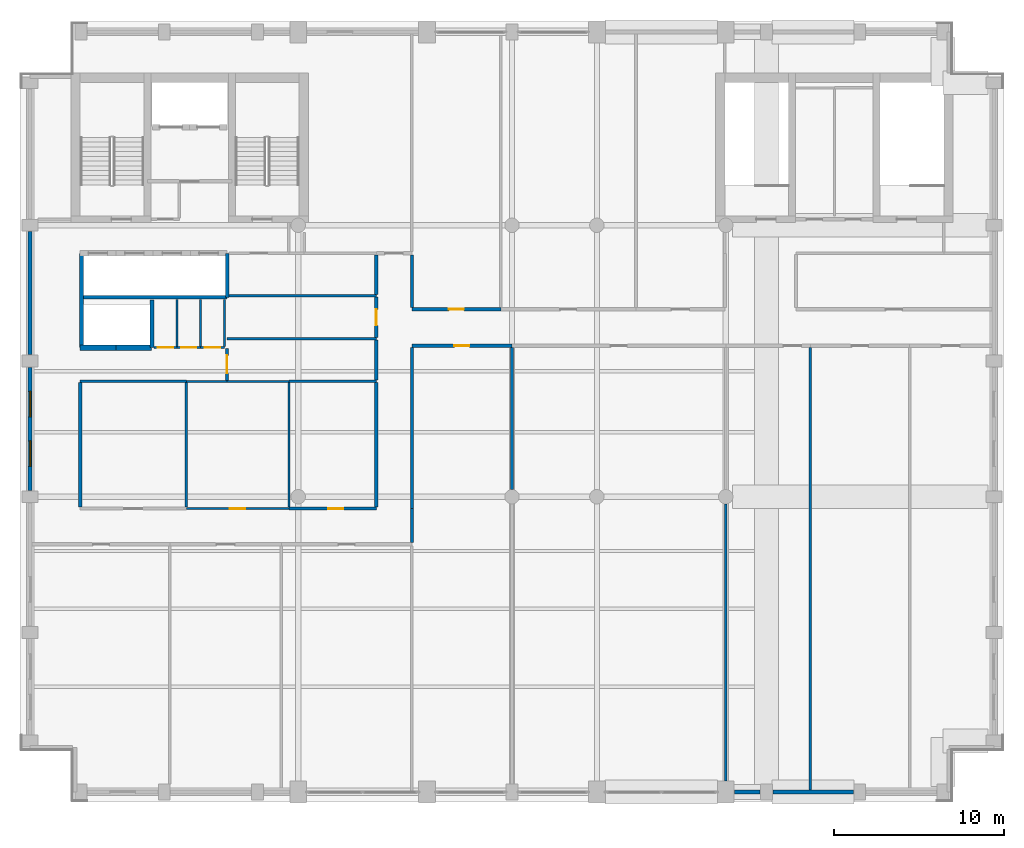
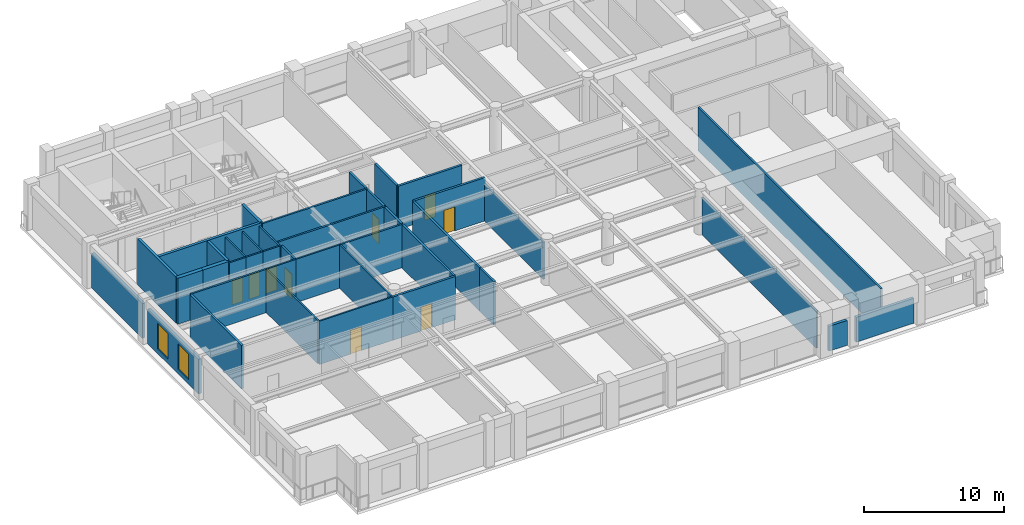
# One storey, part 8 of 14: 40 walls, 9 doors, 2 windows, 11 openings.
"""IFC4 building model written with IfcOpenShell, lengths in metres."""

from ifc_helpers import new_model, si_unit, direction, frame, frame_2d, origin, place, context, subcontext, project, spatial, rectangle, extrude, material, layer, layer_set, type_object, element, fill, save


model = new_model("IFC4")

# Units and contexts
model_context = context("Model", 3, precision=1e-05, world=origin(), true_north=direction((0.0, 1.0)))
body_context = subcontext(model_context, "Body", "Model", "MODEL_VIEW")
ifc_project = project(units=[si_unit("LENGTHUNIT", "METRE"), si_unit("AREAUNIT", "SQUARE_METRE"), si_unit("VOLUMEUNIT", "CUBIC_METRE"), si_unit("PLANEANGLEUNIT", "RADIAN"), si_unit("MASSUNIT", "GRAM", prefix="KILO")], contexts=[model_context])

# Site, building, storey
site_placement = place(None, origin())
site = spatial("IfcSite", under=ifc_project, at=site_placement, CompositionType="ELEMENT")
building_placement = place(site_placement, origin())
building = spatial("IfcBuilding", under=site, at=building_placement, Name="Sulina Concourse Tower", CompositionType="ELEMENT")
storey_placement = place(building_placement, frame((0.0, 0.0, 285.0)))
storey = spatial("IfcBuildingStorey", under=building, at=storey_placement, Name="L69", CompositionType="ELEMENT", Elevation=285.0)

# Walls
ifc_material_1 = material(Name="Concrete C50/60", Category="concrete")
ifc_layer_1 = layer(ifc_material_1, 0.219970703125)
ifc_layer_set_1 = layer_set([ifc_layer_1], Name="Concrete C50/60")
wall_type_1 = type_object("IfcWallType", Name="Core Lift Hoistway Divider Wall 220mm", PredefinedType="SOLIDWALL", material=ifc_layer_set_1)
wall_1_placement = place(storey_placement, frame((3.550048828125, 29.75, 0.0), z_axis=(0.0, 0.0, 1.0), x_axis=(1.0, 0.0, 0.0)))
element("IfcWall", 1, at=wall_1_placement, inside=storey, type_object=wall_type_1, Name="L69 shaft divider wall HW-LP3-S", PredefinedType="SOLIDWALL", context=body_context, shape_type="SweptSolid", body=[
    extrude(rectangle(XDim=8.64990234375, YDim=0.219970703125, at=frame_2d((4.324951171875, 0.0))), origin(), (0.0, 0.0, 1.0), 4.0),
])
wall_2_placement = place(storey_placement, frame((3.6298828125, 26.800048828125, 0.0), z_axis=(0.0, 0.0, 1.0), x_axis=(0.0, 1.0, 0.0)))
element("IfcWall", 2, at=wall_2_placement, inside=storey, type_object=wall_type_1, Name="L69 shaft divider wall HW-LP3-W", PredefinedType="SOLIDWALL", context=body_context, shape_type="SweptSolid", body=[
    extrude(rectangle(XDim=5.550048828125, YDim=0.219970703125, at=frame_2d((2.77490234375, 0.0))), origin(), (0.0, 0.0, 1.0), 4.0),
])
wall_3_placement = place(storey_placement, frame((7.780029296875, 26.800048828125, 0.0), z_axis=(0.0, 0.0, 1.0), x_axis=(0.0, 1.0, 0.0)))
element("IfcWall", 3, at=wall_3_placement, inside=storey, type_object=wall_type_1, Name="L69 shaft divider wall HW-EXP-E", PredefinedType="SOLIDWALL", context=body_context, shape_type="SweptSolid", body=[
    extrude(rectangle(XDim=2.800048828125, YDim=0.219970703125, at=frame_2d((1.39990234375, 0.0))), origin(), (0.0, 0.0, 1.0), 4.0),
])
wall_4_placement = place(storey_placement, frame((12.219970703125, 29.75, 0.0), z_axis=(0.0, 0.0, 1.0), x_axis=(0.0, 1.0, 0.0)))
element("IfcWall", 4, at=wall_4_placement, inside=storey, type_object=wall_type_1, Name="L69 shaft divider wall HW-LP3-E", PredefinedType="SOLIDWALL", context=body_context, shape_type="SweptSolid", body=[
    extrude(rectangle(XDim=2.60009765625, YDim=0.219970703125, at=frame_2d((1.300048828125, 0.0))), origin(), (0.0, 0.0, 1.0), 4.0),
])
ifc_material_2 = material(Name="Concrete C50/60", Category="concrete")
ifc_layer_2 = layer(ifc_material_2, 0.300048828125)
ifc_layer_set_2 = layer_set([ifc_layer_2], Name="Concrete C50/60")
wall_type_2 = type_object("IfcWallType", Name="Core Lift Hoistway Wall 300mm", PredefinedType="SOLIDWALL", material=ifc_layer_set_2)
wall_5_placement = place(storey_placement, frame((5.64990234375, 26.780029296875, 0.0), z_axis=(0.0, 0.0, 1.0), x_axis=(-1.0, 0.0, 0.0)))
element("IfcWall", 5, at=wall_5_placement, inside=storey, type_object=wall_type_2, Name="L69 hoistway enclosure wall EXP-1", PredefinedType="SOLIDWALL", context=body_context, shape_type="SweptSolid", body=[
    extrude(rectangle(XDim=2.099853515625, YDim=0.300048828125, at=frame_2d((1.0498046875, 0.0))), origin(), (0.0, 0.0, 1.0), 4.0),
])
wall_6_placement = place(storey_placement, frame((7.75, 26.780029296875, 0.0), z_axis=(0.0, 0.0, 1.0), x_axis=(-1.0, 0.0, 0.0)))
element("IfcWall", 6, at=wall_6_placement, inside=storey, type_object=wall_type_2, Name="L69 hoistway enclosure wall EXP-2", PredefinedType="SOLIDWALL", context=body_context, shape_type="SweptSolid", body=[
    extrude(rectangle(XDim=2.10009765625, YDim=0.300048828125, at=frame_2d((1.050048828125, 0.0))), origin(), (0.0, 0.0, 1.0), 4.0),
])
ifc_material_3 = material(Name="Precast concrete C50/60", Category="concrete")
ifc_layer_3 = layer(ifc_material_3, 0.239990234375)
ifc_layer_set_3 = layer_set([ifc_layer_3], Name="Precast concrete C50/60")
wall_type_3 = type_object("IfcWallType", Name="Crown Precast Masonry-Frame Facade Wall 240mm", PredefinedType="SOLIDWALL", material=ifc_layer_set_3)
wall_7_placement = place(storey_placement, frame((43.6298828125, 0.60009765625, 0.0), z_axis=(0.0, 0.0, 1.0), x_axis=(-1.0, 0.0, 0.0)))
element("IfcWall", 7, at=wall_7_placement, inside=storey, type_object=wall_type_3, Name="L69 exterior precast wall S8", PredefinedType="SOLIDWALL", context=body_context, shape_type="SweptSolid", body=[
    extrude(rectangle(XDim=1.509765625, YDim=0.239990234375, at=frame_2d((0.7548828125, 0.0))), origin(), (0.0, 0.0, 1.0), 2.1650390625),
])
wall_8_placement = place(storey_placement, frame((49.1298828125, 0.60009765625, 0.0), z_axis=(0.0, 0.0, 1.0), x_axis=(-1.0, 0.0, 0.0)))
element("IfcWall", 8, at=wall_8_placement, inside=storey, type_object=wall_type_3, Name="L69 exterior precast wall S9", PredefinedType="SOLIDWALL", context=body_context, shape_type="SweptSolid", body=[
    extrude(rectangle(XDim=4.759765625, YDim=0.239990234375, at=frame_2d((2.3798828125, 0.0))), origin(), (0.0, 0.0, 1.0), 2.1650390625),
])

# Wall, openings, windows
wall_9_placement = place(storey_placement, frame((0.60009765625, 18.3701171875, 0.0), z_axis=(0.0, 0.0, 1.0), x_axis=(0.0, 1.0, 0.0)))
wall_9 = element("IfcWall", 9, at=wall_9_placement, inside=storey, type_object=wall_type_3, Name="L69 exterior precast wall W3", PredefinedType="SOLIDWALL", context=body_context, shape_type="SweptSolid", body=[
    extrude(rectangle(XDim=7.259765625, YDim=0.239990234375, at=frame_2d((3.6298828125, 0.0))), origin(), (0.0, 0.0, 1.0), 3.02490234375),
])
opening_1_placement = place(wall_9_placement, frame((1.419921875, 0.0, 0.419921875)))
opening_1 = element("IfcOpeningElement", 10, at=opening_1_placement, cuts=wall_9, Name="Opening WN-71", PredefinedType="OPENING", context=body_context, shape_type="SweptSolid", body=[
    extrude(rectangle(XDim=1.5, YDim=2.199951171875, at=frame_2d((0.75, 1.10009765625))), frame((0.0, 0.1298828125, 0.0), z_axis=(0.0, -1.0, 0.0), x_axis=(1.0, 0.0, 0.0)), (0.0, 0.0, 1.0), 0.260009765625),
])
opening_2_placement = place(wall_9_placement, frame((4.340087890625, 0.0, 0.419921875)))
opening_2 = element("IfcOpeningElement", 11, at=opening_2_placement, cuts=wall_9, Name="Opening WN-71", PredefinedType="OPENING", context=body_context, shape_type="SweptSolid", body=[
    extrude(rectangle(XDim=1.5, YDim=2.199951171875, at=frame_2d((0.75, 1.10009765625))), frame((0.0, 0.1298828125, 0.0), z_axis=(0.0, -1.0, 0.0), x_axis=(1.0, 0.0, 0.0)), (0.0, 0.0, 1.0), 0.260009765625),
])
ifc_material_4 = material(Name="Low-E solar double glazing in bronze aluminium", Category="aluminium")
window_type = type_object("IfcWindowType", Name="Punched Masonry-Frame Window 1500x2200", PartitioningType="SINGLE_PANEL", PredefinedType="WINDOW", material=ifc_material_4)
window_1_placement = place(opening_1_placement, origin())
window_1 = element("IfcWindow", 12, at=window_1_placement, inside=storey, type_object=window_type, Name="L69 punched window W3-1", OverallHeight=2.199951171875, OverallWidth=1.5, PartitioningType="SINGLE_PANEL", PredefinedType="WINDOW", context=body_context, shape_type="SweptSolid", body=[
    extrude(rectangle(XDim=1.5, YDim=2.199951171875, at=frame_2d((0.75, 1.10009765625))), frame((0.0, 0.030029296875, 0.0), z_axis=(0.0, -1.0, 0.0), x_axis=(1.0, 0.0, 0.0)), (0.0, 0.0, 1.0), 0.06005859375),
])
fill(opening_1, window_1)
window_2_placement = place(opening_2_placement, origin())
window_2 = element("IfcWindow", 13, at=window_2_placement, inside=storey, type_object=window_type, Name="L69 punched window W3-2", OverallHeight=2.199951171875, OverallWidth=1.5, PartitioningType="SINGLE_PANEL", PredefinedType="WINDOW", context=body_context, shape_type="SweptSolid", body=[
    extrude(rectangle(XDim=1.5, YDim=2.199951171875, at=frame_2d((0.75, 1.10009765625))), frame((0.0, 0.030029296875, 0.0), z_axis=(0.0, -1.0, 0.0), x_axis=(1.0, 0.0, 0.0)), (0.0, 0.0, 1.0), 0.06005859375),
])
fill(opening_2, window_2)

# Walls
wall_10_placement = place(storey_placement, frame((0.60009765625, 26.3701171875, 0.0), z_axis=(0.0, 0.0, 1.0), x_axis=(0.0, 1.0, 0.0)))
element("IfcWall", 14, at=wall_10_placement, inside=storey, type_object=wall_type_3, Name="L69 exterior precast wall W4", PredefinedType="SOLIDWALL", context=body_context, shape_type="SweptSolid", body=[
    extrude(rectangle(XDim=7.259765625, YDim=0.239990234375, at=frame_2d((3.6298828125, 0.0))), origin(), (0.0, 0.0, 1.0), 3.02490234375),
])
ifc_material_5 = material(Name="Gypsum board on steel stud", Category="steel")
ifc_layer_4 = layer(ifc_material_5, 0.14990234375)
ifc_layer_set_4 = layer_set([ifc_layer_4], Name="Gypsum board on steel stud")
wall_type_4 = type_object("IfcWallType", Name="Inter-Tenancy Acoustic Partition 150mm", PredefinedType="PARTITIONING", material=ifc_layer_set_4)
wall_11_placement = place(storey_placement, frame((3.550048828125, 24.800048828125, 0.0), z_axis=(0.0, 0.0, 1.0), x_axis=(1.0, 0.0, 0.0)))
element("IfcWall", 15, at=wall_11_placement, inside=storey, type_object=wall_type_4, Name="L69 interior partition 007", PredefinedType="PARTITIONING", context=body_context, shape_type="SweptSolid", body=[
    extrude(rectangle(XDim=6.25, YDim=0.14990234375, at=frame_2d((3.125, 0.0))), origin(), (0.0, 0.0, 1.0), 3.77490234375),
])
wall_12_placement = place(storey_placement, frame((15.85009765625, 24.800048828125, 0.0), z_axis=(0.0, 0.0, 1.0), x_axis=(1.0, 0.0, 0.0)))
element("IfcWall", 16, at=wall_12_placement, inside=storey, type_object=wall_type_4, Name="L69 interior partition 010", PredefinedType="PARTITIONING", context=body_context, shape_type="SweptSolid", body=[
    extrude(rectangle(XDim=5.14990234375, YDim=0.14990234375, at=frame_2d((2.574951171875, 0.0))), origin(), (0.0, 0.0, 1.0), 3.77490234375),
])
wall_13_placement = place(storey_placement, frame((12.199951171875, 27.300048828125, 0.0), z_axis=(0.0, 0.0, 1.0), x_axis=(1.0, 0.0, 0.0)))
element("IfcWall", 17, at=wall_13_placement, inside=storey, type_object=wall_type_4, Name="L69 interior partition 019", PredefinedType="PARTITIONING", context=body_context, shape_type="SweptSolid", body=[
    extrude(rectangle(XDim=8.800048828125, YDim=0.14990234375, at=frame_2d((4.39990234375, 0.0))), origin(), (0.0, 0.0, 1.0), 3.77490234375),
])
wall_14_placement = place(storey_placement, frame((12.330078125, 29.85009765625, 0.0), z_axis=(0.0, 0.0, 1.0), x_axis=(1.0, 0.0, 0.0)))
element("IfcWall", 18, at=wall_14_placement, inside=storey, type_object=wall_type_4, Name="L69 interior partition 024", PredefinedType="PARTITIONING", context=body_context, shape_type="SweptSolid", body=[
    extrude(rectangle(XDim=8.669921875, YDim=0.14990234375, at=frame_2d((4.3349609375, 0.0))), origin(), (0.0, 0.0, 1.0), 3.77490234375),
])

# Wall, opening, door
wall_15_placement = place(storey_placement, frame((12.199951171875, 24.862548828125, 0.0), z_axis=(0.0, 0.0, 1.0), x_axis=(0.0, 1.0, 0.0)))
wall_15 = element("IfcWall", 19, at=wall_15_placement, inside=storey, type_object=wall_type_4, Name="L69 interior partition 042", PredefinedType="PARTITIONING", context=body_context, shape_type="SweptSolid", body=[
    extrude(rectangle(XDim=1.875, YDim=0.14990234375, at=frame_2d((0.9375, 0.0))), origin(), (0.0, 0.0, 1.0), 3.77490234375),
])
opening_3_placement = place(wall_15_placement, frame((0.41259765625, 0.0, 0.0)))
opening_3 = element("IfcOpeningElement", 20, at=opening_3_placement, cuts=wall_15, Name="Opening DR-37", PredefinedType="OPENING", context=body_context, shape_type="SweptSolid", body=[
    extrude(rectangle(XDim=1.050048828125, YDim=2.14990234375, at=frame_2d((0.52490234375, 1.074951171875))), frame((0.0, 0.0849609375, 0.0), z_axis=(0.0, -1.0, 0.0), x_axis=(1.0, 0.0, 0.0)), (0.0, 0.0, 1.0), 0.169921875),
])
ifc_material_6 = material(Name="Oak-veneered fire door leaf")
ifc_layer_5 = layer(ifc_material_6, 0.050048828125)
ifc_layer_set_5 = layer_set([ifc_layer_5], Name="Oak-veneered fire door leaf")
door_type_1 = type_object("IfcDoorType", Name="Tenant Suite Entrance Fire Door 1050x2150", OperationType="NOTDEFINED", PredefinedType="DOOR", material=ifc_layer_set_5)
door_1_placement = place(opening_3_placement, origin())
door_1 = element("IfcDoor", 21, at=door_1_placement, inside=storey, type_object=door_type_1, Name="L69 interior door L69-MR-MRG1", OperationType="SINGLE_SWING_RIGHT", OverallHeight=2.14990234375, OverallWidth=1.050048828125, PredefinedType="DOOR", context=body_context, shape_type="SweptSolid", body=[
    extrude(rectangle(XDim=1.050048828125, YDim=2.14990234375, at=frame_2d((0.52490234375, 1.074951171875))), frame((0.0, 0.02490234375, 0.0), z_axis=(0.0, -1.0, 0.0), x_axis=(1.0, 0.0, 0.0)), (0.0, 0.0, 1.0), 0.050048828125),
])
fill(opening_3, door_1)

# Walls
wall_16_placement = place(storey_placement, frame((29.0, 18.425048828125, 0.0), z_axis=(0.0, 0.0, 1.0), x_axis=(0.0, 1.0, 0.0)))
element("IfcWall", 22, at=wall_16_placement, inside=storey, type_object=wall_type_4, Name="L69 interior partition 058", PredefinedType="PARTITIONING", context=body_context, shape_type="SweptSolid", body=[
    extrude(rectangle(XDim=8.385009765625, YDim=0.14990234375, at=frame_2d((4.1923828125, 0.0))), origin(), (0.0, 0.0, 1.0), 3.219970703125),
])
wall_17_placement = place(storey_placement, frame((41.60009765625, 1.25, 0.0), z_axis=(0.0, 0.0, 1.0), x_axis=(0.0, 1.0, 0.0)))
element("IfcWall", 23, at=wall_17_placement, inside=storey, type_object=wall_type_4, Name="L69 interior partition 063", PredefinedType="PARTITIONING", context=body_context, shape_type="SweptSolid", body=[
    extrude(rectangle(XDim=16.324951171875, YDim=0.14990234375, at=frame_2d((8.16259765625, 0.0))), origin(), (0.0, 0.0, 1.0), 3.219970703125),
])
wall_18_placement = place(storey_placement, frame((46.590087890625, 0.719970703125, 0.0), z_axis=(0.0, 0.0, 1.0), x_axis=(0.0, 1.0, 0.0)))
element("IfcWall", 24, at=wall_18_placement, inside=storey, type_object=wall_type_4, Name="L69 interior partition 066", PredefinedType="PARTITIONING", context=body_context, shape_type="SweptSolid", body=[
    extrude(rectangle(XDim=26.090087890625, YDim=0.14990234375, at=frame_2d((13.044921875, 0.0))), origin(), (0.0, 0.0, 1.0), 3.77490234375),
])

# Wall, opening, door
ifc_material_7 = material(Name="Gypsum board on steel stud", Category="steel")
ifc_layer_6 = layer(ifc_material_7, 0.179931640625)
ifc_layer_set_6 = layer_set([ifc_layer_6], Name="Gypsum board on steel stud")
wall_type_5 = type_object("IfcWallType", Name="Protected Corridor & Riser Partition 180mm", PredefinedType="PARTITIONING", material=ifc_layer_set_6)
wall_19_placement = place(storey_placement, frame((15.85009765625, 17.300048828125, 0.0), z_axis=(0.0, 0.0, 1.0), x_axis=(1.0, 0.0, 0.0)))
wall_19 = element("IfcWall", 25, at=wall_19_placement, inside=storey, type_object=wall_type_5, Name="L69 interior partition 006", PredefinedType="PARTITIONING", context=body_context, shape_type="SweptSolid", body=[
    extrude(rectangle(XDim=5.14990234375, YDim=0.179931640625, at=frame_2d((2.574951171875, 0.0))), origin(), (0.0, 0.0, 1.0), 3.77490234375),
])
opening_4_placement = place(wall_19_placement, frame((2.31494140625, 0.0, 0.0)))
opening_4 = element("IfcOpeningElement", 26, at=opening_4_placement, cuts=wall_19, Name="Opening DR-38", PredefinedType="OPENING", context=body_context, shape_type="SweptSolid", body=[
    extrude(rectangle(XDim=0.8798828125, YDim=2.10009765625, at=frame_2d((0.43994140625, 1.050048828125))), frame((0.0, 0.099853515625, 0.0), z_axis=(0.0, -1.0, 0.0), x_axis=(1.0, 0.0, 0.0)), (0.0, 0.0, 1.0), 0.199951171875),
])
ifc_material_8 = material(Name="Galvanised steel acoustic fire leaf", Category="steel")
ifc_layer_7 = layer(ifc_material_8, 0.050048828125)
ifc_layer_set_7 = layer_set([ifc_layer_7], Name="Galvanised steel acoustic fire leaf")
door_type_2 = type_object("IfcDoorType", Name="Service Riser Fire Door 880x2100", OperationType="NOTDEFINED", PredefinedType="DOOR", material=ifc_layer_set_7)
door_2_placement = place(opening_4_placement, origin())
door_2 = element("IfcDoor", 27, at=door_2_placement, inside=storey, type_object=door_type_2, Name="L69 interior door L69-NZ-PKW", OperationType="SINGLE_SWING_RIGHT", OverallHeight=2.10009765625, OverallWidth=0.8798828125, PredefinedType="DOOR", context=body_context, shape_type="SweptSolid", body=[
    extrude(rectangle(XDim=0.8798828125, YDim=2.10009765625, at=frame_2d((0.43994140625, 1.050048828125))), frame((0.0, 0.02490234375, 0.0), z_axis=(0.0, -1.0, 0.0), x_axis=(1.0, 0.0, 0.0)), (0.0, 0.0, 1.0), 0.050048828125),
])
fill(opening_4, door_2)

wall_20_placement = place(storey_placement, frame((23.10009765625, 26.89990234375, 0.0), z_axis=(0.0, 0.0, 1.0), x_axis=(1.0, 0.0, 0.0)))
wall_20 = element("IfcWall", 28, at=wall_20_placement, inside=storey, type_object=wall_type_5, Name="L69 interior partition 014", PredefinedType="PARTITIONING", context=body_context, shape_type="SweptSolid", body=[
    extrude(rectangle(XDim=5.89990234375, YDim=0.179931640625, at=frame_2d((2.949951171875, 0.0))), origin(), (0.0, 0.0, 1.0), 3.77490234375),
])
opening_5_placement = place(wall_20_placement, frame((2.510009765625, 0.0, 0.0)))
opening_5 = element("IfcOpeningElement", 29, at=opening_5_placement, cuts=wall_20, Name="Opening DR-38", PredefinedType="OPENING", context=body_context, shape_type="SweptSolid", body=[
    extrude(rectangle(XDim=0.8798828125, YDim=2.10009765625, at=frame_2d((0.43994140625, 1.050048828125))), frame((0.0, 0.099853515625, 0.0), z_axis=(0.0, -1.0, 0.0), x_axis=(1.0, 0.0, 0.0)), (0.0, 0.0, 1.0), 0.199951171875),
])
door_3_placement = place(opening_5_placement, origin())
door_3 = element("IfcDoor", 30, at=door_3_placement, inside=storey, type_object=door_type_2, Name="L69 interior door L69-S03", OperationType="SINGLE_SWING_RIGHT", OverallHeight=2.10009765625, OverallWidth=0.8798828125, PredefinedType="DOOR", context=body_context, shape_type="SweptSolid", body=[
    extrude(rectangle(XDim=0.8798828125, YDim=2.10009765625, at=frame_2d((0.43994140625, 1.050048828125))), frame((0.0, 0.02490234375, 0.0), z_axis=(0.0, -1.0, 0.0), x_axis=(1.0, 0.0, 0.0)), (0.0, 0.0, 1.0), 0.050048828125),
])
fill(opening_5, door_3)

wall_21_placement = place(storey_placement, frame((23.10009765625, 29.050048828125, 0.0), z_axis=(0.0, 0.0, 1.0), x_axis=(1.0, 0.0, 0.0)))
wall_21 = element("IfcWall", 31, at=wall_21_placement, inside=storey, type_object=wall_type_5, Name="L69 interior partition 020", PredefinedType="PARTITIONING", context=body_context, shape_type="SweptSolid", body=[
    extrude(rectangle(XDim=5.239990234375, YDim=0.179931640625, at=frame_2d((2.6201171875, 0.0))), origin(), (0.0, 0.0, 1.0), 3.77490234375),
])
opening_6_placement = place(wall_21_placement, frame((2.179931640625, 0.0, 0.0)))
opening_6 = element("IfcOpeningElement", 32, at=opening_6_placement, cuts=wall_21, Name="Opening DR-38", PredefinedType="OPENING", context=body_context, shape_type="SweptSolid", body=[
    extrude(rectangle(XDim=0.8798828125, YDim=2.10009765625, at=frame_2d((0.43994140625, 1.050048828125))), frame((0.0, 0.099853515625, 0.0), z_axis=(0.0, -1.0, 0.0), x_axis=(1.0, 0.0, 0.0)), (0.0, 0.0, 1.0), 0.199951171875),
])
door_4_placement = place(opening_6_placement, origin())
door_4 = element("IfcDoor", 33, at=door_4_placement, inside=storey, type_object=door_type_2, Name="L69 interior door L69-NC1", OperationType="SINGLE_SWING_LEFT", OverallHeight=2.10009765625, OverallWidth=0.8798828125, PredefinedType="DOOR", context=body_context, shape_type="SweptSolid", body=[
    extrude(rectangle(XDim=0.8798828125, YDim=2.10009765625, at=frame_2d((0.43994140625, 1.050048828125))), frame((0.0, 0.02490234375, 0.0), z_axis=(0.0, -1.0, 0.0), x_axis=(1.0, 0.0, 0.0)), (0.0, 0.0, 1.0), 0.050048828125),
])
fill(opening_6, door_4)

# Walls
for number, where, z_axis, x_axis, name in (
    (34, (3.550048828125, 17.389892578125, 0.0), (0.0, 0.0, 1.0), (0.0, 1.0, 0.0), "L69 interior partition 035"),
    (35, (21.0, 17.389892578125, 0.0), (0.0, 0.0, 1.0), (0.0, 1.0, 0.0), "L69 interior partition 047"),
):
    element("IfcWall", number, at=place(storey_placement, frame(where, z_axis=z_axis, x_axis=x_axis)), inside=storey, type_object=wall_type_5, Name=name, PredefinedType="PARTITIONING", context=body_context, shape_type="SweptSolid", body=[
        extrude(rectangle(XDim=7.335205078125, YDim=0.179931640625, at=frame_2d((3.66748046875, 0.0))), origin(), (0.0, 0.0, 1.0), 3.77490234375),
    ])
wall_22_placement = place(storey_placement, frame((21.0, 24.875, 0.0), z_axis=(0.0, 0.0, 1.0), x_axis=(0.0, 1.0, 0.0)))
element("IfcWall", 36, at=wall_22_placement, inside=storey, type_object=wall_type_5, Name="L69 interior partition 048", PredefinedType="PARTITIONING", context=body_context, shape_type="SweptSolid", body=[
    extrude(rectangle(XDim=2.35009765625, YDim=0.179931640625, at=frame_2d((1.175048828125, 0.0))), origin(), (0.0, 0.0, 1.0), 3.77490234375),
])

# Wall, opening, door
wall_23_placement = place(storey_placement, frame((21.0, 27.375, 0.0), z_axis=(0.0, 0.0, 1.0), x_axis=(0.0, 1.0, 0.0)))
wall_23 = element("IfcWall", 37, at=wall_23_placement, inside=storey, type_object=wall_type_5, Name="L69 interior partition 049", PredefinedType="PARTITIONING", context=body_context, shape_type="SweptSolid", body=[
    extrude(rectangle(XDim=2.39990234375, YDim=0.179931640625, at=frame_2d((1.199951171875, 0.0))), origin(), (0.0, 0.0, 1.0), 3.77490234375),
])
opening_7_placement = place(wall_23_placement, frame((0.72509765625, 0.0, 0.0)))
opening_7 = element("IfcOpeningElement", 38, at=opening_7_placement, cuts=wall_23, Name="Opening DR-19", PredefinedType="OPENING", context=body_context, shape_type="SweptSolid", body=[
    extrude(rectangle(XDim=0.949951171875, YDim=2.14990234375, at=frame_2d((0.47509765625, 1.074951171875))), frame((0.0, 0.099853515625, 0.0), z_axis=(0.0, -1.0, 0.0), x_axis=(1.0, 0.0, 0.0)), (0.0, 0.0, 1.0), 0.199951171875),
])
ifc_material_9 = material(Name="Oak-veneered acoustic timber leaf", Category="wood")
ifc_layer_8 = layer(ifc_material_9, 0.050048828125)
ifc_layer_set_8 = layer_set([ifc_layer_8], Name="Oak-veneered acoustic timber leaf")
door_type_3 = type_object("IfcDoorType", Name="Cellular Office & Meeting Door 950x2150", OperationType="NOTDEFINED", PredefinedType="DOOR", material=ifc_layer_set_8)
door_5_placement = place(opening_7_placement, origin())
door_5 = element("IfcDoor", 39, at=door_5_placement, inside=storey, type_object=door_type_3, Name="L69 interior door L69-MR-MRG2", OperationType="SINGLE_SWING_LEFT", OverallHeight=2.14990234375, OverallWidth=0.949951171875, PredefinedType="DOOR", context=body_context, shape_type="SweptSolid", body=[
    extrude(rectangle(XDim=0.949951171875, YDim=2.14990234375, at=frame_2d((0.47509765625, 1.074951171875))), frame((0.0, 0.02490234375, 0.0), z_axis=(0.0, -1.0, 0.0), x_axis=(1.0, 0.0, 0.0)), (0.0, 0.0, 1.0), 0.050048828125),
])
fill(opening_7, door_5)

# Walls
wall_24_placement = place(storey_placement, frame((21.0, 29.925048828125, 0.0), z_axis=(0.0, 0.0, 1.0), x_axis=(0.0, 1.0, 0.0)))
element("IfcWall", 40, at=wall_24_placement, inside=storey, type_object=wall_type_5, Name="L69 interior partition 050", PredefinedType="PARTITIONING", context=body_context, shape_type="SweptSolid", body=[
    extrude(rectangle(XDim=2.3349609375, YDim=0.179931640625, at=frame_2d((1.16748046875, 0.0))), origin(), (0.0, 0.0, 1.0), 3.77490234375),
])
wall_25_placement = place(storey_placement, frame((23.10009765625, 15.2900390625, 0.0), z_axis=(0.0, 0.0, 1.0), x_axis=(0.0, 1.0, 0.0)))
element("IfcWall", 41, at=wall_25_placement, inside=storey, type_object=wall_type_5, Name="L69 interior partition 052", PredefinedType="PARTITIONING", context=body_context, shape_type="SweptSolid", body=[
    extrude(rectangle(XDim=2.010009765625, YDim=0.179931640625, at=frame_2d((1.0048828125, 0.0))), origin(), (0.0, 0.0, 1.0), 3.77490234375),
])
wall_26_placement = place(storey_placement, frame((23.10009765625, 17.300048828125, 0.0), z_axis=(0.0, 0.0, 1.0), x_axis=(0.0, 1.0, 0.0)))
element("IfcWall", 42, at=wall_26_placement, inside=storey, type_object=wall_type_5, Name="L69 interior partition 053", PredefinedType="PARTITIONING", context=body_context, shape_type="SweptSolid", body=[
    extrude(rectangle(XDim=9.510009765625, YDim=0.179931640625, at=frame_2d((4.7548828125, 0.0))), origin(), (0.0, 0.0, 1.0), 3.77490234375),
])
wall_27_placement = place(storey_placement, frame((23.10009765625, 29.139892578125, 0.0), z_axis=(0.0, 0.0, 1.0), x_axis=(0.0, 1.0, 0.0)))
element("IfcWall", 43, at=wall_27_placement, inside=storey, type_object=wall_type_5, Name="L69 interior partition 054", PredefinedType="PARTITIONING", context=body_context, shape_type="SweptSolid", body=[
    extrude(rectangle(XDim=3.1201171875, YDim=0.179931640625, at=frame_2d((1.56005859375, 0.0))), origin(), (0.0, 0.0, 1.0), 3.77490234375),
])

# Wall, opening, door
ifc_material_10 = material(Name="Gypsum board on steel stud", Category="steel")
ifc_layer_9 = layer(ifc_material_10, 0.125)
ifc_layer_set_9 = layer_set([ifc_layer_9], Name="Gypsum board on steel stud")
wall_type_6 = type_object("IfcWallType", Name="Wet-Area Moisture-Resistant Partition 125mm", PredefinedType="PARTITIONING", material=ifc_layer_set_9)
wall_28_placement = place(storey_placement, frame((9.800048828125, 17.300048828125, 0.0), z_axis=(0.0, 0.0, 1.0), x_axis=(1.0, 0.0, 0.0)))
wall_28 = element("IfcWall", 44, at=wall_28_placement, inside=storey, type_object=wall_type_6, Name="L69 interior partition 005", PredefinedType="PARTITIONING", context=body_context, shape_type="SweptSolid", body=[
    extrude(rectangle(XDim=6.050048828125, YDim=0.125, at=frame_2d((3.02490234375, 0.0))), origin(), (0.0, 0.0, 1.0), 3.77490234375),
])
opening_8_placement = place(wall_28_placement, frame((2.574951171875, 0.0, 0.0)))
opening_8 = element("IfcOpeningElement", 45, at=opening_8_placement, cuts=wall_28, Name="Opening DR-21", PredefinedType="OPENING", context=body_context, shape_type="SweptSolid", body=[
    extrude(rectangle(XDim=0.89990234375, YDim=2.10009765625, at=frame_2d((0.449951171875, 1.050048828125))), frame((0.0, 0.072509765625, 0.0), z_axis=(0.0, -1.0, 0.0), x_axis=(1.0, 0.0, 0.0)), (0.0, 0.0, 1.0), 0.14501953125),
])
ifc_material_11 = material(Name="Oak-veneered fire door leaf")
ifc_layer_10 = layer(ifc_material_11, 0.050048828125)
ifc_layer_set_10 = layer_set([ifc_layer_10], Name="Oak-veneered fire door leaf")
door_type_4 = type_object("IfcDoorType", Name="Restroom & Service Door 900x2100", OperationType="NOTDEFINED", PredefinedType="DOOR", material=ifc_layer_set_10)
door_6_placement = place(opening_8_placement, origin())
door_6 = element("IfcDoor", 46, at=door_6_placement, inside=storey, type_object=door_type_4, Name="L69 interior door L69-LR-MRG2", OperationType="SINGLE_SWING_LEFT", OverallHeight=2.10009765625, OverallWidth=0.89990234375, PredefinedType="DOOR", context=body_context, shape_type="SweptSolid", body=[
    extrude(rectangle(XDim=0.89990234375, YDim=2.10009765625, at=frame_2d((0.449951171875, 1.050048828125))), frame((0.0, 0.02490234375, 0.0), z_axis=(0.0, -1.0, 0.0), x_axis=(1.0, 0.0, 0.0)), (0.0, 0.0, 1.0), 0.050048828125),
])
fill(opening_8, door_6)

# Walls
wall_29_placement = place(storey_placement, frame((9.800048828125, 24.800048828125, 0.0), z_axis=(0.0, 0.0, 1.0), x_axis=(1.0, 0.0, 0.0)))
element("IfcWall", 47, at=wall_29_placement, inside=storey, type_object=wall_type_6, Name="L69 interior partition 008", PredefinedType="PARTITIONING", context=body_context, shape_type="SweptSolid", body=[
    extrude(rectangle(XDim=2.39990234375, YDim=0.125, at=frame_2d((1.199951171875, 0.0))), origin(), (0.0, 0.0, 1.0), 3.77490234375),
])
wall_30_placement = place(storey_placement, frame((12.199951171875, 24.800048828125, 0.0), z_axis=(0.0, 0.0, 1.0), x_axis=(1.0, 0.0, 0.0)))
element("IfcWall", 48, at=wall_30_placement, inside=storey, type_object=wall_type_6, Name="L69 interior partition 009", PredefinedType="PARTITIONING", context=body_context, shape_type="SweptSolid", body=[
    extrude(rectangle(XDim=3.650146484375, YDim=0.125, at=frame_2d((1.8251953125, 0.0))), origin(), (0.0, 0.0, 1.0), 3.77490234375),
])

# Wall, opening, door
wall_31_placement = place(storey_placement, frame((7.889892578125, 26.800048828125, 0.0), z_axis=(0.0, 0.0, 1.0), x_axis=(1.0, 0.0, 0.0)))
wall_31 = element("IfcWall", 49, at=wall_31_placement, inside=storey, type_object=wall_type_6, Name="L69 interior partition 011", PredefinedType="PARTITIONING", context=body_context, shape_type="SweptSolid", body=[
    extrude(rectangle(XDim=1.360107421875, YDim=0.125, at=frame_2d((0.68017578125, 0.0))), origin(), (0.0, 0.0, 1.0), 3.77490234375),
])
opening_9_placement = place(wall_31_placement, frame((0.22998046875, 0.0, 0.0)))
opening_9 = element("IfcOpeningElement", 50, at=opening_9_placement, cuts=wall_31, Name="Opening DR-21", PredefinedType="OPENING", context=body_context, shape_type="SweptSolid", body=[
    extrude(rectangle(XDim=0.89990234375, YDim=2.10009765625, at=frame_2d((0.449951171875, 1.050048828125))), frame((0.0, 0.072509765625, 0.0), z_axis=(0.0, -1.0, 0.0), x_axis=(1.0, 0.0, 0.0)), (0.0, 0.0, 1.0), 0.14501953125),
])
door_7_placement = place(opening_9_placement, origin())
door_7 = element("IfcDoor", 51, at=door_7_placement, inside=storey, type_object=door_type_4, Name="L69 interior door L69-WC-M", OperationType="SINGLE_SWING_LEFT", OverallHeight=2.10009765625, OverallWidth=0.89990234375, PredefinedType="DOOR", context=body_context, shape_type="SweptSolid", body=[
    extrude(rectangle(XDim=0.89990234375, YDim=2.10009765625, at=frame_2d((0.449951171875, 1.050048828125))), frame((0.0, 0.02490234375, 0.0), z_axis=(0.0, -1.0, 0.0), x_axis=(1.0, 0.0, 0.0)), (0.0, 0.0, 1.0), 0.050048828125),
])
fill(opening_9, door_7)

wall_32_placement = place(storey_placement, frame((9.25, 26.800048828125, 0.0), z_axis=(0.0, 0.0, 1.0), x_axis=(1.0, 0.0, 0.0)))
wall_32 = element("IfcWall", 52, at=wall_32_placement, inside=storey, type_object=wall_type_6, Name="L69 interior partition 012", PredefinedType="PARTITIONING", context=body_context, shape_type="SweptSolid", body=[
    extrude(rectangle(XDim=1.39990234375, YDim=0.125, at=frame_2d((0.699951171875, 0.0))), origin(), (0.0, 0.0, 1.0), 3.77490234375),
])
opening_10_placement = place(wall_32_placement, frame((0.25, 0.0, 0.0)))
opening_10 = element("IfcOpeningElement", 53, at=opening_10_placement, cuts=wall_32, Name="Opening DR-21", PredefinedType="OPENING", context=body_context, shape_type="SweptSolid", body=[
    extrude(rectangle(XDim=0.89990234375, YDim=2.10009765625, at=frame_2d((0.449951171875, 1.050048828125))), frame((0.0, 0.072509765625, 0.0), z_axis=(0.0, -1.0, 0.0), x_axis=(1.0, 0.0, 0.0)), (0.0, 0.0, 1.0), 0.14501953125),
])
door_8_placement = place(opening_10_placement, origin())
door_8 = element("IfcDoor", 54, at=door_8_placement, inside=storey, type_object=door_type_4, Name="L69 interior door L69-WC-F", OperationType="SINGLE_SWING_RIGHT", OverallHeight=2.10009765625, OverallWidth=0.89990234375, PredefinedType="DOOR", context=body_context, shape_type="SweptSolid", body=[
    extrude(rectangle(XDim=0.89990234375, YDim=2.10009765625, at=frame_2d((0.449951171875, 1.050048828125))), frame((0.0, 0.02490234375, 0.0), z_axis=(0.0, -1.0, 0.0), x_axis=(1.0, 0.0, 0.0)), (0.0, 0.0, 1.0), 0.050048828125),
])
fill(opening_10, door_8)

wall_33_placement = place(storey_placement, frame((10.64990234375, 26.800048828125, 0.0), z_axis=(0.0, 0.0, 1.0), x_axis=(1.0, 0.0, 0.0)))
wall_33 = element("IfcWall", 55, at=wall_33_placement, inside=storey, type_object=wall_type_6, Name="L69 interior partition 013", PredefinedType="PARTITIONING", context=body_context, shape_type="SweptSolid", body=[
    extrude(rectangle(XDim=1.400146484375, YDim=0.125, at=frame_2d((0.7001953125, 0.0))), origin(), (0.0, 0.0, 1.0), 3.77490234375),
])
opening_11_placement = place(wall_33_placement, frame((0.239990234375, 0.0, 0.0)))
opening_11 = element("IfcOpeningElement", 56, at=opening_11_placement, cuts=wall_33, Name="Opening DR-61", PredefinedType="OPENING", context=body_context, shape_type="SweptSolid", body=[
    extrude(rectangle(XDim=0.919921875, YDim=2.10009765625, at=frame_2d((0.4599609375, 1.050048828125))), frame((0.0, 0.072509765625, 0.0), z_axis=(0.0, -1.0, 0.0), x_axis=(1.0, 0.0, 0.0)), (0.0, 0.0, 1.0), 0.14501953125),
])
ifc_material_12 = material(Name="Oak-veneered fire door leaf")
ifc_layer_11 = layer(ifc_material_12, 0.050048828125)
ifc_layer_set_11 = layer_set([ifc_layer_11], Name="Oak-veneered fire door leaf")
door_type_5 = type_object("IfcDoorType", Name="Accessible WC Door 920x2100", OperationType="NOTDEFINED", PredefinedType="DOOR", material=ifc_layer_set_11)
door_9_placement = place(opening_11_placement, origin())
door_9 = element("IfcDoor", 57, at=door_9_placement, inside=storey, type_object=door_type_5, Name="L69 interior door L69-WC-ACC", OperationType="SINGLE_SWING_LEFT", OverallHeight=2.10009765625, OverallWidth=0.919921875, PredefinedType="DOOR", context=body_context, shape_type="SweptSolid", body=[
    extrude(rectangle(XDim=0.919921875, YDim=2.10009765625, at=frame_2d((0.4599609375, 1.050048828125))), frame((0.0, 0.02490234375, 0.0), z_axis=(0.0, -1.0, 0.0), x_axis=(1.0, 0.0, 0.0)), (0.0, 0.0, 1.0), 0.050048828125),
])
fill(opening_11, door_9)

# Walls
wall_34_placement = place(storey_placement, frame((9.25, 26.862548828125, 0.0), z_axis=(0.0, 0.0, 1.0), x_axis=(0.0, 1.0, 0.0)))
element("IfcWall", 58, at=wall_34_placement, inside=storey, type_object=wall_type_6, Name="L69 interior partition 037", PredefinedType="PARTITIONING", context=body_context, shape_type="SweptSolid", body=[
    extrude(rectangle(XDim=2.77734375, YDim=0.125, at=frame_2d((1.388671875, 0.0))), origin(), (0.0, 0.0, 1.0), 3.77490234375),
])
wall_35_placement = place(storey_placement, frame((9.800048828125, 17.389892578125, 0.0), z_axis=(0.0, 0.0, 1.0), x_axis=(0.0, 1.0, 0.0)))
element("IfcWall", 59, at=wall_35_placement, inside=storey, type_object=wall_type_6, Name="L69 interior partition 039", PredefinedType="PARTITIONING", context=body_context, shape_type="SweptSolid", body=[
    extrude(rectangle(XDim=7.335205078125, YDim=0.125, at=frame_2d((3.66748046875, 0.0))), origin(), (0.0, 0.0, 1.0), 3.77490234375),
])
for number, where, z_axis, x_axis, name in (
    (60, (10.64990234375, 26.862548828125, 0.0), (0.0, 0.0, 1.0), (0.0, 1.0, 0.0), "L69 interior partition 040"),
    (61, (12.050048828125, 26.862548828125, 0.0), (0.0, 0.0, 1.0), (0.0, 1.0, 0.0), "L69 interior partition 041"),
):
    element("IfcWall", number, at=place(storey_placement, frame(where, z_axis=z_axis, x_axis=x_axis)), inside=storey, type_object=wall_type_6, Name=name, PredefinedType="PARTITIONING", context=body_context, shape_type="SweptSolid", body=[
        extrude(rectangle(XDim=2.77734375, YDim=0.125, at=frame_2d((1.388671875, 0.0))), origin(), (0.0, 0.0, 1.0), 3.77490234375),
    ])
wall_36_placement = place(storey_placement, frame((15.85009765625, 17.389892578125, 0.0), z_axis=(0.0, 0.0, 1.0), x_axis=(0.0, 1.0, 0.0)))
element("IfcWall", 62, at=wall_36_placement, inside=storey, type_object=wall_type_6, Name="L69 interior partition 044", PredefinedType="PARTITIONING", context=body_context, shape_type="SweptSolid", body=[
    extrude(rectangle(XDim=7.335205078125, YDim=0.125, at=frame_2d((3.66748046875, 0.0))), origin(), (0.0, 0.0, 1.0), 3.77490234375),
])

save(model, "model.ifc")
